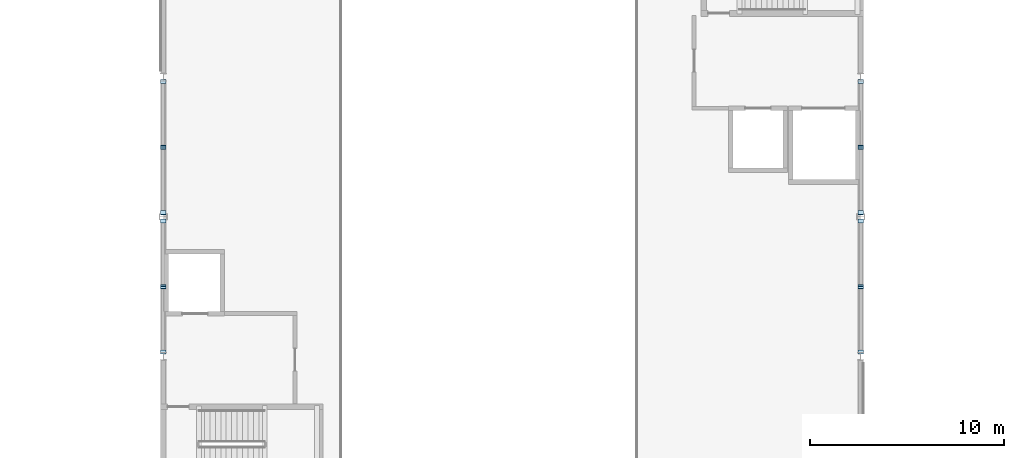
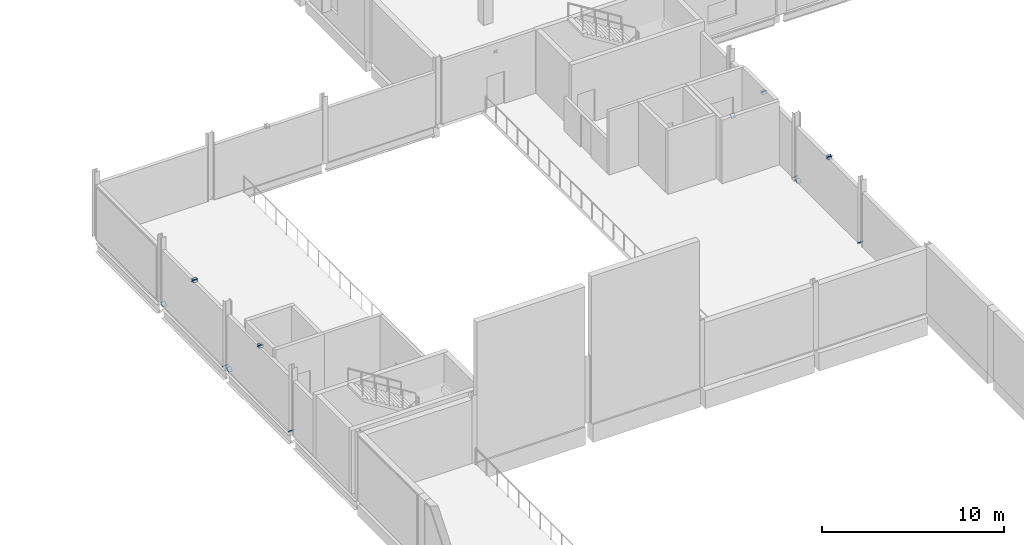
# One storey, part 63 of 76: 16 plates.
"""IFC4 building model written with IfcOpenShell, lengths in metres."""

from ifc_helpers import new_model, si_unit, direction, frame, origin, origin_2d, place, context, subcontext, project, spatial, rectangle, extrude, material, layer, layer_set, type_object, element, save


model = new_model("IFC4")

# Units and contexts
model_context = context("Model", 3, precision=1e-05, world=origin(), true_north=direction((0.0, 1.0)))
body_context = subcontext(model_context, "Body", "Model", "MODEL_VIEW")
ifc_project = project(units=[si_unit("LENGTHUNIT", "METRE"), si_unit("AREAUNIT", "SQUARE_METRE"), si_unit("VOLUMEUNIT", "CUBIC_METRE"), si_unit("PLANEANGLEUNIT", "RADIAN"), si_unit("MASSUNIT", "GRAM", prefix="KILO"), si_unit("THERMODYNAMICTEMPERATUREUNIT", "KELVIN"), si_unit("POWERUNIT", "WATT")], contexts=[model_context])

# Site, building, storey
site_placement = place(None, origin())
site = spatial("IfcSite", under=ifc_project, at=site_placement, CompositionType="ELEMENT")
building_placement = place(site_placement, origin())
building = spatial("IfcBuilding", under=site, at=building_placement, Name="Kaldorven Railside Theatre", CompositionType="ELEMENT")
storey_placement = place(building_placement, frame((0.0, 0.0, 14.39990234375)))
storey = spatial("IfcBuildingStorey", under=building, at=storey_placement, Name="L03", CompositionType="ELEMENT", Elevation=14.39990234375)

# Plates
ifc_material = material(Name="Steel S355", Category="steel")
ifc_layer = layer(ifc_material, 0.02001953125, Name="Steel S355")
ifc_layer_set = layer_set([ifc_layer], Name="Steel S355")
plate_type = type_object("IfcPlateType", Name="PLT-GUS-20", PredefinedType="USERDEFINED", material=ifc_layer_set)
for number, where, z_axis, x_axis, name in (
    (1, (87.199951171875, 91.40771484375, 0.02685546875), (0.0, 0.680465121782, 0.732780470562), (-1.0, 0.0, 0.0), "End cap gusset plate PL-0049"),
    (2, (87.199951171875, 94.798583984375, 3.6787109375), (0.0, 0.680465121782, 0.732780470562), (-1.0, 0.0, 0.0), "End cap gusset plate PL-0050"),
    (3, (87.199951171875, 98.192138671875, 0.02685546875), (0.0, -0.680465121782, 0.732780470562), (1.0, 0.0, 0.0), "End cap gusset plate PL-0051"),
    (4, (87.199951171875, 94.801513671875, 3.6787109375), (0.0, -0.680465121782, 0.732780470562), (1.0, 0.0, 0.0), "End cap gusset plate PL-0052"),
    (5, (87.199951171875, 98.607666015625, 0.02685546875), (0.0, 0.680465121782, 0.732780470562), (-1.0, 0.0, 0.0), "End cap gusset plate PL-0053"),
    (6, (87.199951171875, 101.99853515625, 3.6787109375), (0.0, 0.680465121782, 0.732780470562), (-1.0, 0.0, 0.0), "End cap gusset plate PL-0054"),
    (7, (87.199951171875, 105.392333984375, 0.02685546875), (0.0, -0.680465121782, 0.732780470562), (1.0, 0.0, 0.0), "End cap gusset plate PL-0055"),
    (8, (87.199951171875, 102.00146484375, 3.6787109375), (0.0, -0.680465121782, 0.732780470562), (1.0, 0.0, 0.0), "End cap gusset plate PL-0056"),
    (9, (123.199951171875, 91.40771484375, 0.02685546875), (0.0, 0.680465121782, 0.732780470562), (-1.0, 0.0, 0.0), "End cap gusset plate PL-0057"),
    (10, (123.199951171875, 94.798583984375, 3.6787109375), (0.0, 0.680465121782, 0.732780470562), (-1.0, 0.0, 0.0), "End cap gusset plate PL-0058"),
    (11, (123.199951171875, 98.192138671875, 0.02685546875), (0.0, -0.680465121782, 0.732780470562), (1.0, 0.0, 0.0), "End cap gusset plate PL-0059"),
    (12, (123.199951171875, 94.801513671875, 3.6787109375), (0.0, -0.680465121782, 0.732780470562), (1.0, 0.0, 0.0), "End cap gusset plate PL-0060"),
    (13, (123.199951171875, 98.607666015625, 0.02685546875), (0.0, 0.680465121782, 0.732780470562), (-1.0, 0.0, 0.0), "End cap gusset plate PL-0061"),
    (14, (123.199951171875, 101.99853515625, 3.6787109375), (0.0, 0.680465121782, 0.732780470562), (-1.0, 0.0, 0.0), "End cap gusset plate PL-0062"),
    (15, (123.199951171875, 105.392333984375, 0.02685546875), (0.0, -0.680465121782, 0.732780470562), (1.0, 0.0, 0.0), "End cap gusset plate PL-0063"),
    (16, (123.199951171875, 102.00146484375, 3.6787109375), (0.0, -0.680465121782, 0.732780470562), (1.0, 0.0, 0.0), "End cap gusset plate PL-0064"),
):
    element("IfcPlate", number, at=place(storey_placement, frame(where, z_axis=z_axis, x_axis=x_axis)), inside=storey, type_object=plate_type, Name=name, ObjectType="GUSSET PLATE", PredefinedType="USERDEFINED", context=body_context, shape_type="SweptSolid", body=[
        extrude(rectangle(XDim=0.279052734375, YDim=0.279052734375, at=origin_2d()), origin(), (0.0, 0.0, 1.0), 0.02001953125),
    ])

save(model, "model.ifc")
